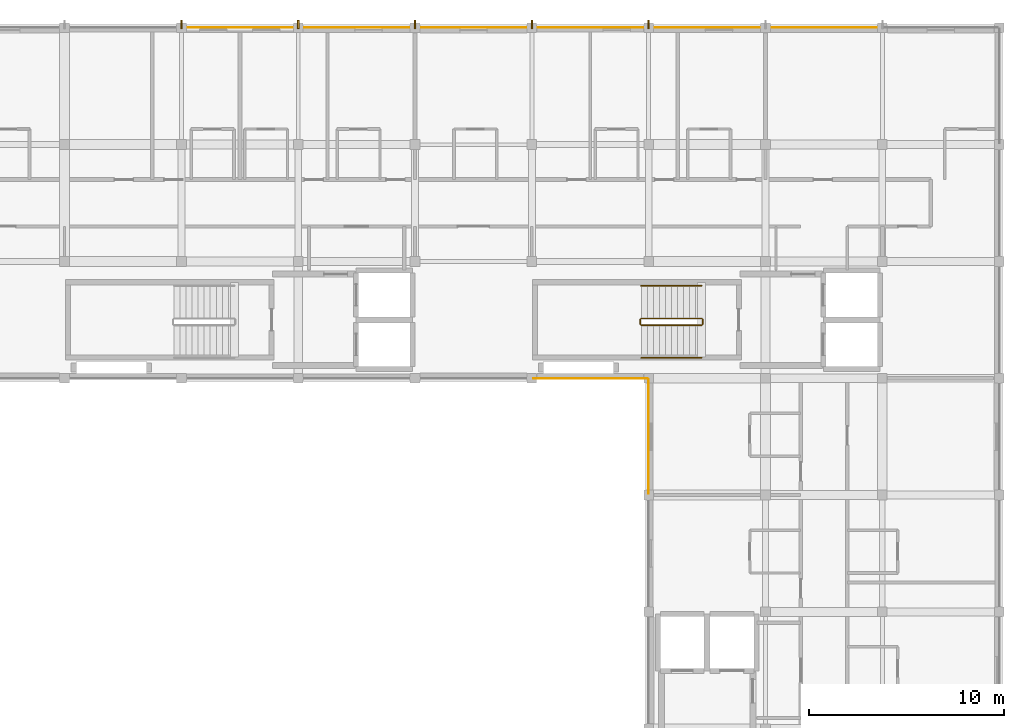
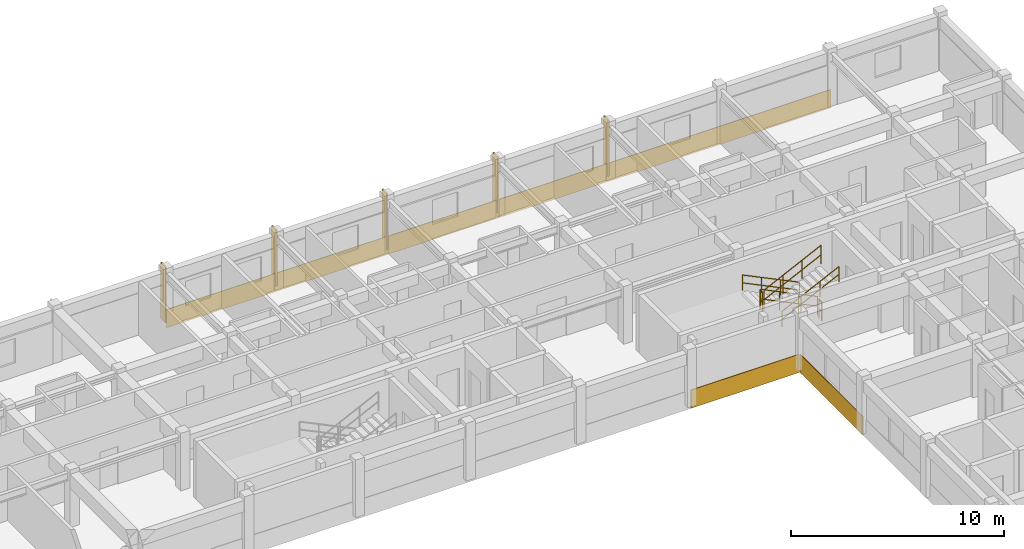
# One storey, part 13 of 14: 6 railings, 5 shading devices, 4 coverings.
"""IFC4 building model written with IfcOpenShell, lengths in metres."""

from ifc_helpers import new_model, si_unit, direction, frame, origin, origin_2d, place, context, subcontext, project, spatial, polyline, rectangle, circle, outline, extrude, material, layer, layer_set, type_object, element, save


model = new_model("IFC4")

# Units and contexts
model_context = context("Model", 3, precision=1e-05, world=origin(), true_north=direction((0.0, 1.0)))
body_context = subcontext(model_context, "Body", "Model", "MODEL_VIEW")
ifc_project = project(units=[si_unit("LENGTHUNIT", "METRE"), si_unit("AREAUNIT", "SQUARE_METRE"), si_unit("VOLUMEUNIT", "CUBIC_METRE"), si_unit("PLANEANGLEUNIT", "RADIAN"), si_unit("MASSUNIT", "GRAM", prefix="KILO"), si_unit("THERMODYNAMICTEMPERATUREUNIT", "KELVIN"), si_unit("POWERUNIT", "WATT")], contexts=[model_context])

# Site, building, storey
site_placement = place(None, origin())
site = spatial("IfcSite", under=ifc_project, at=site_placement, CompositionType="ELEMENT")
building_placement = place(site_placement, origin())
building = spatial("IfcBuilding", under=site, at=building_placement, Name="Phaisarnlok Congress Hotel", CompositionType="ELEMENT")
storey_placement = place(building_placement, frame((0.0, 0.0, 48.0)))
storey = spatial("IfcBuildingStorey", under=building, at=storey_placement, Name="L12", CompositionType="ELEMENT", Elevation=48.0)

# Coverings
ifc_material_1 = material(Name="Anodised Silver Aluminium Alloy 6063-T6", Category="aluminium")
ifc_layer_1 = layer(ifc_material_1, 0.031982421875, Name="Anodised Silver Aluminium Alloy 6063-T6")
ifc_layer_set_1 = layer_set([ifc_layer_1], Name="Anodised Silver Aluminium Alloy 6063-T6")
covering_type = type_object("IfcCoveringType", Name="COV-SPAND-ALU", PredefinedType="CLADDING", material=ifc_layer_set_1)
for number, where, z_axis, x_axis, name in (
    (1, (156.06005859375, 125.9951171875, -0.280029296875), (0.0, 1.0, 0.0), (-1.0, 0.0, 0.0), "Swiss minimalist anodised silver rainscreen band CL-02 (L12 N)"),
    (2, (174.06005859375, 125.9951171875, -0.280029296875), (0.0, 1.0, 0.0), (-1.0, 0.0, 0.0), "Swiss minimalist anodised silver rainscreen band CL-02 (L12 N)"),
):
    element("IfcCovering", number, at=place(storey_placement, frame(where, z_axis=z_axis, x_axis=x_axis)), inside=storey, type_object=covering_type, Name=name, PredefinedType="CLADDING", context=body_context, shape_type="SweptSolid", body=[
        extrude(outline(polyline([(0.0, 0.0), (18.0, 0.0), (18.0, 1.050048828125), (0.0, 1.050048828125), (0.0, 0.0)])), origin(), (0.0, 0.0, 1.0), 0.031982421875),
    ])
for number, where, z_axis, x_axis, name in (
    (3, (156.06005859375, 108.0048828125, -0.280029296875), (0.0, -1.0, 0.0), (1.0, 0.0, 0.0), "Swiss minimalist anodised silver rainscreen band CL-02 (L12 S)"),
    (4, (162.0048828125, 107.93994140625, -0.280029296875), (-1.0, 0.0, 0.0), (0.0, -1.0, 0.0), "Swiss minimalist anodised silver rainscreen band CL-02 (L12 W)"),
):
    element("IfcCovering", number, at=place(storey_placement, frame(where, z_axis=z_axis, x_axis=x_axis)), inside=storey, type_object=covering_type, Name=name, PredefinedType="CLADDING", context=body_context, shape_type="SweptSolid", body=[
        extrude(outline(polyline([(0.0, 0.0), (5.8798828125, 0.0), (5.8798828125, 1.050048828125), (0.0, 1.050048828125), (0.0, 0.0)])), origin(), (0.0, 0.0, 1.0), 0.031982421875),
    ])

# Railings
ifc_material_2 = material(Name="Painted Galvanised Steel S275", Category="steel")
railing_type_1 = type_object("IfcRailingType", Name="RLG-STR-GUARD", PredefinedType="BALUSTRADE", material=ifc_material_2)
railing_1_placement = place(storey_placement, frame((164.719970703125, 111.070068359375, 0.14990234375)))
element("IfcRailing", 5, at=railing_1_placement, inside=storey, type_object=railing_type_1, Name="L12 ST-05 stair guard 1", PredefinedType="BALUSTRADE", context=body_context, shape_type="SweptSolid", body=[
    extrude(circle(Radius=0.02392578125, at=origin_2d()), frame((0.0, 0.0, 1.076171875), z_axis=(-0.900151181449, 0.0, 0.435577605641), x_axis=(0.0, -1.0, 0.0)), (0.0, 0.0, 1.0), 3.443603515625),
    extrude(circle(Radius=0.02392578125, at=origin_2d()), frame((0.0, 0.0, 0.52587890625), z_axis=(-0.900151181449, 0.0, 0.435577605641), x_axis=(0.0, -1.0, 0.0)), (0.0, 0.0, 1.0), 3.443603515625),
    extrude(circle(Radius=0.02099609375, at=origin_2d()), origin(), (0.0, 0.0, 1.0), 1.052001953125),
    extrude(circle(Radius=0.02099609375, at=origin_2d()), frame((-1.033203125, 0.0, 0.5)), (0.0, 0.0, 1.0), 1.052001953125),
    extrude(circle(Radius=0.02099609375, at=origin_2d()), frame((-2.066650390625, 0.0, 1.0)), (0.0, 0.0, 1.0), 1.052001953125),
    extrude(circle(Radius=0.02099609375, at=origin_2d()), frame((-3.099853515625, 0.0, 1.5)), (0.0, 0.0, 1.0), 1.052001953125),
])
railing_2_placement = place(storey_placement, frame((161.570068359375, 111.02001953125, 1.64990234375)))
element("IfcRailing", 6, at=railing_2_placement, inside=storey, type_object=railing_type_1, Name="L12 ST-05 stair guard 2", PredefinedType="BALUSTRADE", context=body_context, shape_type="SweptSolid", body=[
    extrude(circle(Radius=0.02392578125, at=origin_2d()), frame((0.0, 0.0, 1.076171875), z_axis=(0.0, -1.0, 0.0), x_axis=(1.0, 0.0, 0.0)), (0.0, 0.0, 1.0), 0.239990234375),
    extrude(circle(Radius=0.02392578125, at=origin_2d()), frame((0.0, 0.0, 0.52587890625), z_axis=(0.0, -1.0, 0.0), x_axis=(1.0, 0.0, 0.0)), (0.0, 0.0, 1.0), 0.239990234375),
    extrude(circle(Radius=0.02099609375, at=origin_2d()), origin(), (0.0, 0.0, 1.0), 1.052001953125),
    extrude(circle(Radius=0.02099609375, at=origin_2d()), frame((0.0, -0.239990234375, 0.0)), (0.0, 0.0, 1.0), 1.052001953125),
])
railing_3_placement = place(storey_placement, frame((161.6201171875, 110.72998046875, 1.800048828125)))
element("IfcRailing", 7, at=railing_3_placement, inside=storey, type_object=railing_type_1, Name="L12 ST-05 stair guard 3", PredefinedType="BALUSTRADE", context=body_context, shape_type="SweptSolid", body=[
    extrude(circle(Radius=0.02392578125, at=origin_2d()), frame((0.0, 0.0, 1.076171875), z_axis=(0.900151181449, 0.0, 0.435577605641), x_axis=(0.0, 1.0, 0.0)), (0.0, 0.0, 1.0), 3.443603515625),
    extrude(circle(Radius=0.02392578125, at=origin_2d()), frame((0.0, 0.0, 0.52587890625), z_axis=(0.900151181449, 0.0, 0.435577605641), x_axis=(0.0, 1.0, 0.0)), (0.0, 0.0, 1.0), 3.443603515625),
    extrude(circle(Radius=0.02099609375, at=origin_2d()), origin(), (0.0, 0.0, 1.0), 1.052001953125),
    extrude(circle(Radius=0.02099609375, at=origin_2d()), frame((1.033203125, 0.0, 0.5)), (0.0, 0.0, 1.0), 1.052001953125),
    extrude(circle(Radius=0.02099609375, at=origin_2d()), frame((2.066650390625, 0.0, 1.0)), (0.0, 0.0, 1.0), 1.052001953125),
    extrude(circle(Radius=0.02099609375, at=origin_2d()), frame((3.099853515625, 0.0, 1.5)), (0.0, 0.0, 1.0), 1.052001953125),
])
railing_4_placement = place(storey_placement, frame((164.77001953125, 111.02001953125, 0.0)))
element("IfcRailing", 8, at=railing_4_placement, inside=storey, type_object=railing_type_1, Name="L12 ST-05 stair guard 4", PredefinedType="BALUSTRADE", context=body_context, shape_type="SweptSolid", body=[
    extrude(circle(Radius=0.02392578125, at=origin_2d()), frame((0.0, 0.0, 1.076171875), z_axis=(0.0, -1.0, 0.0), x_axis=(1.0, 0.0, 0.0)), (0.0, 0.0, 1.0), 0.239990234375),
    extrude(circle(Radius=0.02392578125, at=origin_2d()), frame((0.0, 0.0, 0.52587890625), z_axis=(0.0, -1.0, 0.0), x_axis=(1.0, 0.0, 0.0)), (0.0, 0.0, 1.0), 0.239990234375),
    extrude(circle(Radius=0.02099609375, at=origin_2d()), origin(), (0.0, 0.0, 1.0), 1.052001953125),
    extrude(circle(Radius=0.02099609375, at=origin_2d()), frame((0.0, -0.239990234375, 0.0)), (0.0, 0.0, 1.0), 1.052001953125),
])
ifc_material_3 = material(Name="Brushed Stainless Steel Grade 304", Category="steel")
railing_type_2 = type_object("IfcRailingType", Name="RLG-STR-HRAIL", PredefinedType="HANDRAIL", material=ifc_material_3)
railing_5_placement = place(storey_placement, frame((164.719970703125, 112.75, 0.14990234375)))
element("IfcRailing", 9, at=railing_5_placement, inside=storey, type_object=railing_type_2, Name="L12 ST-05 stair handrail 1", PredefinedType="HANDRAIL", context=body_context, shape_type="SweptSolid", body=[
    extrude(circle(Radius=0.02392578125, at=origin_2d()), frame((0.0, 0.0, 0.8759765625), z_axis=(-0.900151181449, 0.0, 0.435577605641), x_axis=(0.0, -1.0, 0.0)), (0.0, 0.0, 1.0), 3.443603515625),
    extrude(circle(Radius=0.02392578125, at=origin_2d()), frame((0.0, 0.0, 0.42578125), z_axis=(-0.900151181449, 0.0, 0.435577605641), x_axis=(0.0, -1.0, 0.0)), (0.0, 0.0, 1.0), 3.443603515625),
    extrude(circle(Radius=0.02099609375, at=origin_2d()), origin(), (0.0, 0.0, 1.0), 0.851806640625),
    extrude(circle(Radius=0.02099609375, at=origin_2d()), frame((-1.033203125, 0.0, 0.5)), (0.0, 0.0, 1.0), 0.851806640625),
    extrude(circle(Radius=0.02099609375, at=origin_2d()), frame((-2.066650390625, 0.0, 1.0)), (0.0, 0.0, 1.0), 0.851806640625),
    extrude(circle(Radius=0.02099609375, at=origin_2d()), frame((-3.099853515625, 0.0, 1.5)), (0.0, 0.0, 1.0), 0.851806640625),
])
railing_6_placement = place(storey_placement, frame((161.6201171875, 109.050048828125, 1.800048828125)))
element("IfcRailing", 10, at=railing_6_placement, inside=storey, type_object=railing_type_2, Name="L12 ST-05 stair handrail 2", PredefinedType="HANDRAIL", context=body_context, shape_type="SweptSolid", body=[
    extrude(circle(Radius=0.02392578125, at=origin_2d()), frame((0.0, 0.0, 0.8759765625), z_axis=(0.900151181449, 0.0, 0.435577605641), x_axis=(0.0, 1.0, 0.0)), (0.0, 0.0, 1.0), 3.443603515625),
    extrude(circle(Radius=0.02392578125, at=origin_2d()), frame((0.0, 0.0, 0.42578125), z_axis=(0.900151181449, 0.0, 0.435577605641), x_axis=(0.0, 1.0, 0.0)), (0.0, 0.0, 1.0), 3.443603515625),
    extrude(circle(Radius=0.02099609375, at=origin_2d()), origin(), (0.0, 0.0, 1.0), 0.851806640625),
    extrude(circle(Radius=0.02099609375, at=origin_2d()), frame((1.033203125, 0.0, 0.5)), (0.0, 0.0, 1.0), 0.851806640625),
    extrude(circle(Radius=0.02099609375, at=origin_2d()), frame((2.066650390625, 0.0, 1.0)), (0.0, 0.0, 1.0), 0.851806640625),
    extrude(circle(Radius=0.02099609375, at=origin_2d()), frame((3.099853515625, 0.0, 1.5)), (0.0, 0.0, 1.0), 0.851806640625),
])

# Shading devices
ifc_material_4 = material(Name="Anodised Champagne Aluminium Alloy 6063", Category="aluminium")
ifc_layer_2 = layer(ifc_material_4, 0.050048828125, Name="Anodised Champagne Aluminium Alloy 6063")
ifc_layer_set_2 = layer_set([ifc_layer_2], Name="Anodised Champagne Aluminium Alloy 6063")
shading_device_type = type_object("IfcShadingDeviceType", Name="SHD-FIN-VERT", PredefinedType="SHUTTER", material=ifc_layer_set_2)
for number, where, z_axis, x_axis, name in (
    (11, (138.0, 126.179931640625, 0.0400390625), (0.0, 0.0, 1.0), (1.0, 0.0, 0.0), "Hotel vertical solar fin SF-01 (L12)"),
    (12, (144.0, 126.179931640625, 0.0400390625), (0.0, 0.0, 1.0), (1.0, 0.0, 0.0), "Hotel vertical solar fin SF-01 (L12)"),
    (13, (150.0, 126.179931640625, 0.0400390625), (0.0, 0.0, 1.0), (1.0, 0.0, 0.0), "Hotel vertical solar fin SF-01 (L12)"),
    (14, (156.0, 126.179931640625, 0.0400390625), (0.0, 0.0, 1.0), (1.0, 0.0, 0.0), "Hotel vertical solar fin SF-01 (L12)"),
    (15, (162.0, 126.179931640625, 0.0400390625), (0.0, 0.0, 1.0), (1.0, 0.0, 0.0), "Hotel vertical solar fin SF-01 (L12)"),
):
    element("IfcShadingDevice", number, at=place(storey_placement, frame(where, z_axis=z_axis, x_axis=x_axis)), inside=storey, type_object=shading_device_type, Name=name, PredefinedType="SHUTTER", context=body_context, shape_type="SweptSolid", body=[
        extrude(rectangle(XDim=0.080078125, YDim=0.43994140625, at=origin_2d()), origin(), (0.0, 0.0, 1.0), 3.219970703125),
    ])

save(model, "model.ifc")
